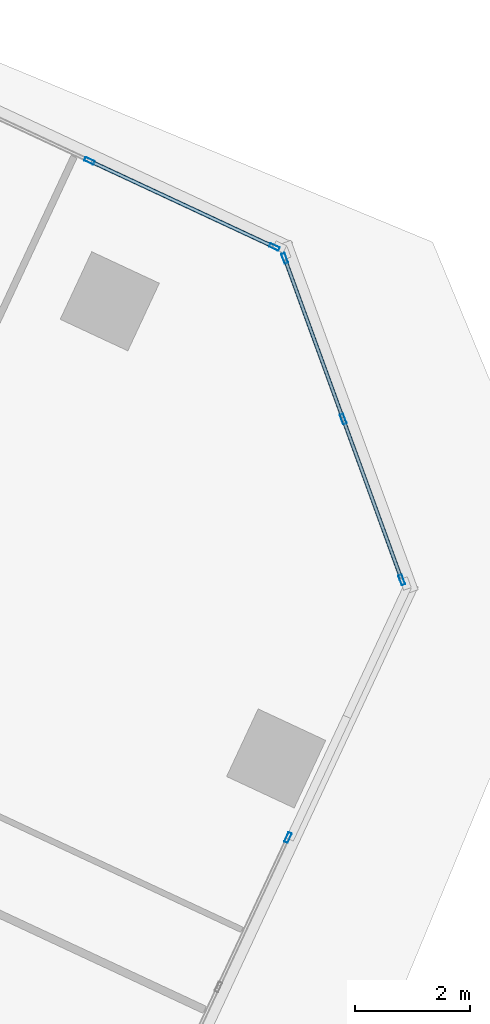
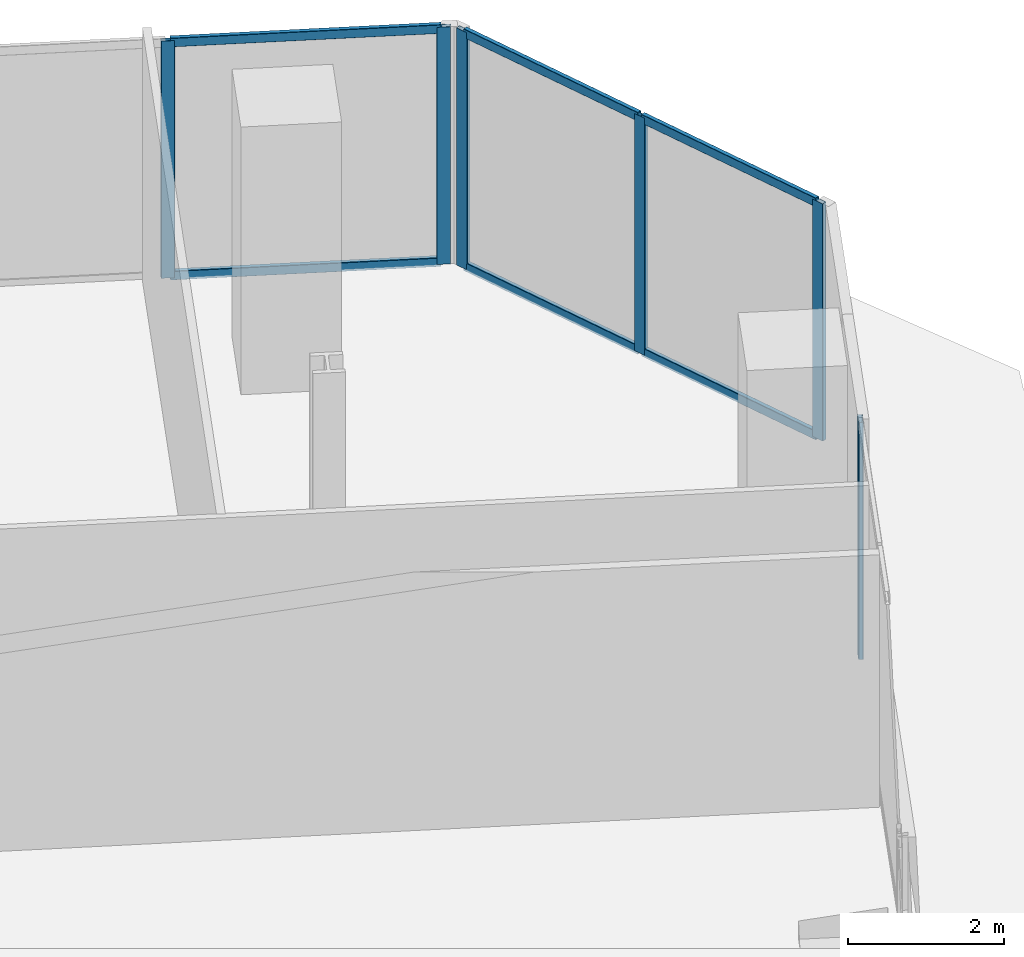
# One storey, part 10 of 23: 12 members, 3 elements without a shape of their own.
"""IFC4 building model written with IfcOpenShell, lengths in metres."""

from ifc_helpers import new_model, si_unit, direction, frame, origin, origin_2d, place, context, subcontext, project, spatial, hollow_rectangle, extrude, source, transform, mapped, material, material_profile, profile_set, type_object, element, aggregate, save


model = new_model("IFC4")

# Units and contexts
model_context = context("Model", 3, precision=1e-05, world=origin(), true_north=direction((0.0, 1.0)))
body_context = subcontext(model_context, "Body", "Model", "MODEL_VIEW")
ifc_project = project(units=[si_unit("LENGTHUNIT", "METRE"), si_unit("AREAUNIT", "SQUARE_METRE"), si_unit("VOLUMEUNIT", "CUBIC_METRE"), si_unit("PLANEANGLEUNIT", "RADIAN"), si_unit("MASSUNIT", "GRAM", prefix="KILO")], contexts=[model_context])

# Site, building, storey
site_placement = place(None, origin())
site = spatial("IfcSite", under=ifc_project, at=site_placement, CompositionType="ELEMENT")
building_placement = place(site_placement, origin())
building = spatial("IfcBuilding", under=site, at=building_placement, Name="Torre Montelarca", CompositionType="ELEMENT")
storey_placement = place(building_placement, frame((0.0, 0.0, 154.0)))
storey = spatial("IfcBuildingStorey", under=building, at=storey_placement, Name="L34", CompositionType="ELEMENT", Elevation=154.0)

# Curtain wall, members
ifc_material_1 = material(Name="Insulated low-E laminated glass", Category="glass")
curtain_wall_type = type_object("IfcCurtainWallType", Name="CW-SYS-Z2", PredefinedType="USERDEFINED", material=ifc_material_1)
curtain_wall_1_placement = place(storey_placement, origin())
curtain_wall_1 = element("IfcCurtainWall", 1, at=curtain_wall_1_placement, inside=storey, type_object=curtain_wall_type, Name="L34 Curtain Wall Run CW-T3-L34-E07-B1", ObjectType="UNITISED GLAZING", PredefinedType="USERDEFINED")
ifc_material_2 = material(Name="Anodised aluminium AA 6063-T6", Category="aluminium")
ifc_material_profile_1 = material_profile(ifc_material_2, hollow_rectangle(XDim=0.06494140625, YDim=0.139892578125, WallThickness=0.00390625, InnerFilletRadius=0.00390625, OuterFilletRadius=0.008056640625, at=origin_2d()), Name="ALU65X140X4", Category="aluminium")
ifc_profile_set_1 = profile_set([ifc_material_profile_1], Name="Anodised aluminium AA 6063-T6")
member_type_1 = type_object("IfcMemberType", Name="CWT-ALU140", PredefinedType="USERDEFINED", material=ifc_profile_set_1)
shared_shape_1 = source(origin(), body_context, "Body", "SweptSolid", [
    extrude(hollow_rectangle(XDim=0.06494140625, YDim=0.139892578125, WallThickness=0.00390625, InnerFilletRadius=0.00390625, OuterFilletRadius=0.008056640625, at=origin_2d()), origin(), (0.0, 0.0, 1.0), 2.918701171875),
])
member_1_placement = place(storey_placement, frame((51.076416015625, 31.196533203125, 0.032470703125), z_axis=(-0.342031842172, 0.939688362671, 0.0), x_axis=(-0.939688362671, -0.342031842172, 0.0)))
member_1 = element("IfcMember", 2, at=member_1_placement, type_object=member_type_1, Name="CW transom 1.1", ObjectType="TRANSOM", PredefinedType="USERDEFINED", context=body_context, shape_type="MappedRepresentation", body=[
    mapped(shared_shape_1, transform((0.0, 0.0, 0.0), scale=1.0)),
])
member_2_placement = place(storey_placement, frame((51.076416015625, 31.196533203125, 3.6875), z_axis=(-0.342031842172, 0.939688362671, 0.0), x_axis=(-0.939688362671, -0.342031842172, 0.0)))
member_2 = element("IfcMember", 3, at=member_2_placement, type_object=member_type_1, Name="CW transom 1.2", ObjectType="TRANSOM", PredefinedType="USERDEFINED", context=body_context, shape_type="MappedRepresentation", body=[
    mapped(shared_shape_1, transform((0.0, 0.0, 0.0), scale=1.0)),
])
shared_shape_2 = source(origin(), body_context, "Body", "SweptSolid", [
    extrude(hollow_rectangle(XDim=0.06494140625, YDim=0.139892578125, WallThickness=0.00390625, InnerFilletRadius=0.00390625, OuterFilletRadius=0.008056640625, at=origin_2d()), origin(), (0.0, 0.0, 1.0), 2.91845703125),
])
member_3_placement = place(storey_placement, frame((50.055908203125, 34.000244140625, 0.032470703125), z_axis=(-0.342058728513, 0.939678576029, 0.0), x_axis=(-0.939678576029, -0.342058728513, 0.0)))
member_3 = element("IfcMember", 4, at=member_3_placement, type_object=member_type_1, Name="CW transom 2.1", ObjectType="TRANSOM", PredefinedType="USERDEFINED", context=body_context, shape_type="MappedRepresentation", body=[
    mapped(shared_shape_2, transform((0.0, 0.0, 0.0), scale=1.0)),
])
member_4_placement = place(storey_placement, frame((50.055908203125, 34.000244140625, 3.6875), z_axis=(-0.342058728513, 0.939678576029, 0.0), x_axis=(-0.939678576029, -0.342058728513, 0.0)))
member_4 = element("IfcMember", 5, at=member_4_placement, type_object=member_type_1, Name="CW transom 2.2", ObjectType="TRANSOM", PredefinedType="USERDEFINED", context=body_context, shape_type="MappedRepresentation", body=[
    mapped(shared_shape_2, transform((0.0, 0.0, 0.0), scale=1.0)),
])

# Curtain wall, member
curtain_wall_2_placement = place(storey_placement, origin())
curtain_wall_2 = element("IfcCurtainWall", 6, at=curtain_wall_2_placement, inside=storey, type_object=curtain_wall_type, Name="L34 Curtain Wall Run CW-T3-L34-E06-B2", ObjectType="UNITISED GLAZING", PredefinedType="USERDEFINED")
ifc_material_profile_2 = material_profile(ifc_material_2, hollow_rectangle(XDim=0.06494140625, YDim=0.179931640625, WallThickness=0.00390625, InnerFilletRadius=0.00390625, OuterFilletRadius=0.008056640625, at=origin_2d()), Name="ALU65X180X4", Category="aluminium")
ifc_profile_set_2 = profile_set([ifc_material_profile_2], Name="Anodised aluminium AA 6063-T6")
member_type_2 = type_object("IfcMemberType", Name="CWM-ALU180", PredefinedType="MULLION", material=ifc_profile_set_2)
shared_shape_3 = source(origin(), body_context, "Body", "SweptSolid", [
    extrude(hollow_rectangle(XDim=0.06494140625, YDim=0.179931640625, WallThickness=0.00390625, InnerFilletRadius=0.00390625, OuterFilletRadius=0.008056640625, at=origin_2d()), origin(), (0.0, 0.0, 1.0), 3.719970703125),
])
member_5_placement = place(storey_placement, frame((49.104736328125, 26.672119140625, 0.0), z_axis=(0.0, 0.0, 1.0), x_axis=(-0.906310067368, 0.42261337152, 0.0)))
member_5 = element("IfcMember", 7, at=member_5_placement, type_object=member_type_2, Name="CW mullion 3", PredefinedType="MULLION", context=body_context, shape_type="MappedRepresentation", body=[
    mapped(shared_shape_3, transform((0.0, 0.0, 0.0), scale=1.0)),
])
aggregate(curtain_wall_2, [member_5])

# Member
member_6_placement = place(storey_placement, frame((51.08740234375, 31.166015625, 0.0), z_axis=(0.0, 0.0, 1.0), x_axis=(-0.939692220055, -0.342021244323, 0.0)))
member_6 = element("IfcMember", 8, at=member_6_placement, type_object=member_type_2, Name="CW mullion 1", PredefinedType="MULLION", context=body_context, shape_type="MappedRepresentation", body=[
    mapped(shared_shape_3, transform((0.0, 0.0, 0.0), scale=1.0)),
])

member_7_placement = place(storey_placement, frame((50.067138671875, 33.9697265625, 0.0), z_axis=(0.0, 0.0, 1.0), x_axis=(-0.939692220055, -0.342021244323, 0.0)))
member_7 = element("IfcMember", 9, at=member_7_placement, type_object=member_type_2, Name="CW mullion 2", PredefinedType="MULLION", context=body_context, shape_type="MappedRepresentation", body=[
    mapped(shared_shape_3, transform((0.0, 0.0, 0.0), scale=1.0)),
])

member_8_placement = place(storey_placement, frame((49.046630859375, 36.773193359375, 0.0), z_axis=(0.0, 0.0, 1.0), x_axis=(-0.939692220055, -0.342021244323, 0.0)))
member_8 = element("IfcMember", 10, at=member_8_placement, type_object=member_type_2, Name="CW mullion 3", PredefinedType="MULLION", context=body_context, shape_type="MappedRepresentation", body=[
    mapped(shared_shape_3, transform((0.0, 0.0, 0.0), scale=1.0)),
])

aggregate(curtain_wall_1, [member_6, member_7, member_8, member_1, member_2, member_3, member_4])

# Curtain wall, members
curtain_wall_3_placement = place(storey_placement, origin())
curtain_wall_3 = element("IfcCurtainWall", 11, at=curtain_wall_3_placement, inside=storey, type_object=curtain_wall_type, Name="L34 Curtain Wall Run CW-T3-L34-E08-B1", ObjectType="UNITISED GLAZING", PredefinedType="USERDEFINED")
member_9_placement = place(storey_placement, frame((48.8662109375, 36.97021484375, 0.0), z_axis=(0.0, 0.0, 1.0), x_axis=(-0.422609405176, -0.906311916868, 0.0)))
member_9 = element("IfcMember", 12, at=member_9_placement, type_object=member_type_2, Name="CW mullion 1", PredefinedType="MULLION", context=body_context, shape_type="MappedRepresentation", body=[
    mapped(shared_shape_3, transform((0.0, 0.0, 0.0), scale=1.0)),
])
member_10_placement = place(storey_placement, frame((45.642333984375, 38.473388671875, 0.0), z_axis=(0.0, 0.0, 1.0), x_axis=(-0.422609405176, -0.906311916868, 0.0)))
member_10 = element("IfcMember", 13, at=member_10_placement, type_object=member_type_2, Name="CW mullion 2", PredefinedType="MULLION", context=body_context, shape_type="MappedRepresentation", body=[
    mapped(shared_shape_3, transform((0.0, 0.0, 0.0), scale=1.0)),
])
shared_shape_4 = source(origin(), body_context, "Body", "SweptSolid", [
    extrude(hollow_rectangle(XDim=0.06494140625, YDim=0.139892578125, WallThickness=0.00390625, InnerFilletRadius=0.00390625, OuterFilletRadius=0.008056640625, at=origin_2d()), origin(), (0.0, 0.0, 1.0), 3.491943359375),
])
member_11_placement = place(storey_placement, frame((48.836669921875, 36.98388671875, 0.032470703125), z_axis=(-0.906300989731, 0.422632838303, 0.0), x_axis=(-0.422632838303, -0.906300989731, 0.0)))
member_11 = element("IfcMember", 14, at=member_11_placement, type_object=member_type_1, Name="CW transom 1.1", ObjectType="TRANSOM", PredefinedType="USERDEFINED", context=body_context, shape_type="MappedRepresentation", body=[
    mapped(shared_shape_4, transform((0.0, 0.0, 0.0), scale=1.0)),
])
member_12_placement = place(storey_placement, frame((48.836669921875, 36.98388671875, 3.6875), z_axis=(-0.906300989731, 0.422632838303, 0.0), x_axis=(-0.422632838303, -0.906300989731, 0.0)))
member_12 = element("IfcMember", 15, at=member_12_placement, type_object=member_type_1, Name="CW transom 1.2", ObjectType="TRANSOM", PredefinedType="USERDEFINED", context=body_context, shape_type="MappedRepresentation", body=[
    mapped(shared_shape_4, transform((0.0, 0.0, 0.0), scale=1.0)),
])
aggregate(curtain_wall_3, [member_9, member_10, member_11, member_12])

save(model, "model.ifc")
